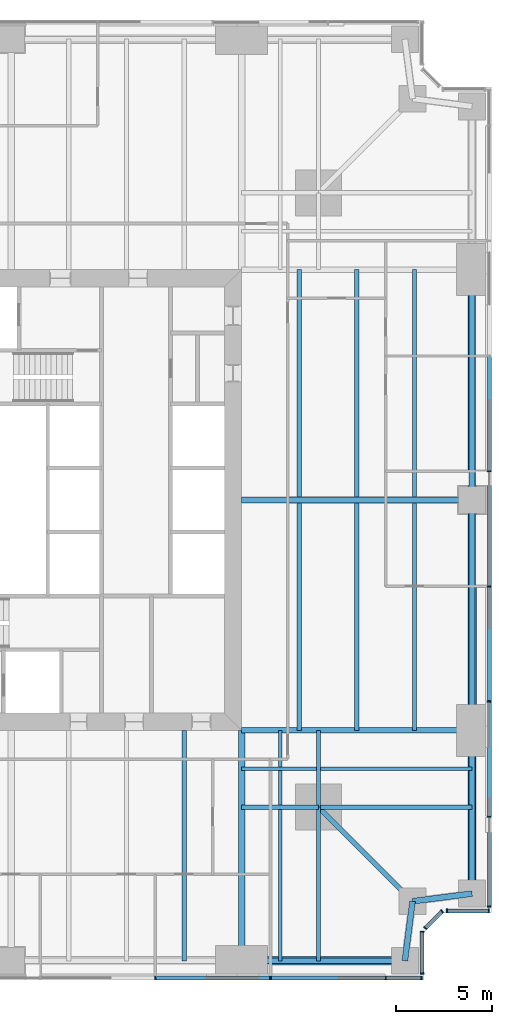
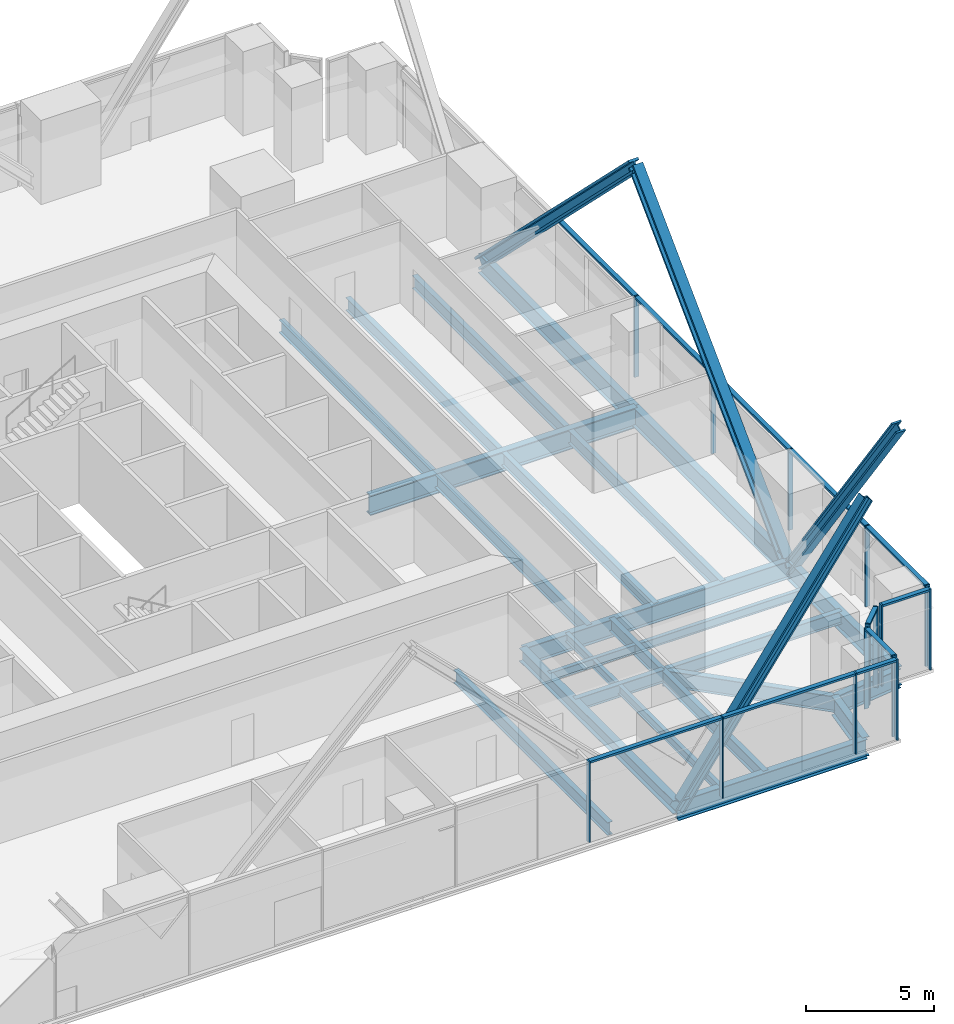
# One storey, part 5 of 14: 30 members, 26 beams, 5 elements without a shape of their own.
"""IFC4 building model written with IfcOpenShell, lengths in metres."""

import ifcopenshell
import ifcopenshell.guid

model = None  # the IFC model being written
_history = None  # IfcOwnerHistory: only IFC2X3 demands one
_inside = {}  # id of a spatial element -> (the spatial element, [elements in it])
_under = {}  # id of a project, library or spatial element -> (it, [spatial elements below it])
_declared = {}  # id of a project -> (the project, [libraries it declares])
_typed = {}  # id of a type object -> (the type object, [elements of that type])
_made_of = {}  # id of a material, layer set ... -> (it, [elements and type objects made of it])


def new_model(schema):
    """Start an empty IFC model of exactly this schema.

    Asked for "IFC4X3", IfcOpenShell would pick the latest addendum, in which some entities
    have other attributes; the version numbers below select the first issue.
    IFC2X3 requires an IfcOwnerHistory on every rooted entity: one is made here for all.
    """
    global model, _history
    if schema == "IFC4X3":
        model = ifcopenshell.file(schema_version=(4, 3, 0, 0))
    else:
        model = ifcopenshell.file(schema=schema)
    _inside.clear()
    _under.clear()
    _declared.clear()
    _typed.clear()
    _made_of.clear()
    _history = None
    if model.schema == "IFC2X3":
        org = make("IfcOrganization", Name="unknown")
        user = make(
            "IfcPersonAndOrganization",
            ThePerson=make("IfcPerson", FamilyName="unknown"),
            TheOrganization=org,
        )
        app = make(
            "IfcApplication",
            ApplicationDeveloper=org,
            Version="unknown",
            ApplicationFullName="unknown",
            ApplicationIdentifier="unknown",
        )
        _history = make(
            "IfcOwnerHistory",
            OwningUser=user,
            OwningApplication=app,
            ChangeAction="ADDED",
            CreationDate=0,
        )
    return model


def make(cls, **values):
    """One entity of the class cls with the attributes given. An attribute that is None is left unset."""
    return model.create_entity(
        cls, **{name: value for name, value in values.items() if value is not None}
    )


def rooted(cls, **values):
    """An entity with a GlobalId (a new one), such as an element, a storey or a relation."""
    return make(cls, GlobalId=ifcopenshell.guid.new(), OwnerHistory=_history, **values)


def si_unit(unit_type, name, prefix=None):
    """IfcSIUnit, for example si_unit("LENGTHUNIT", "METRE", prefix="MILLI")."""
    return make("IfcSIUnit", UnitType=unit_type, Prefix=prefix, Name=name)


def assignment(units):
    """IfcUnitAssignment: the units of a project."""
    return None if units is None else make("IfcUnitAssignment", Units=units)


def point(xyz):
    """IfcCartesianPoint."""
    return None if xyz is None else make("IfcCartesianPoint", Coordinates=xyz)


def direction(xyz):
    """IfcDirection."""
    return None if xyz is None else make("IfcDirection", DirectionRatios=xyz)


def frame(location, z_axis=None, x_axis=None):
    """IfcAxis2Placement3D, a coordinate frame: its origin and axes. An axis left out is left unset."""
    return make(
        "IfcAxis2Placement3D",
        Location=point(location),
        Axis=direction(z_axis),
        RefDirection=direction(x_axis),
    )


def frame_2d(location, x_axis=None):
    """IfcAxis2Placement2D, a coordinate frame in the plane: its origin and x axis."""
    return make(
        "IfcAxis2Placement2D", Location=point(location), RefDirection=direction(x_axis)
    )


def origin():
    """The frame at (0, 0, 0) with its axes left unset."""
    return frame((0.0, 0.0, 0.0))


def origin_2d():
    """The frame at (0, 0) in the plane with its x axis left unset."""
    return frame_2d((0.0, 0.0))


def place(relative_to, where):
    """IfcLocalPlacement: puts the frame where relative to a parent placement (None: the world)."""
    return make(
        "IfcLocalPlacement", PlacementRelTo=relative_to, RelativePlacement=where
    )


def context(
    kind, dimensions, precision=None, world=None, true_north=None, identifier=None
):
    """IfcGeometricRepresentationContext, for example the 3D "Model" context."""
    return make(
        "IfcGeometricRepresentationContext",
        ContextIdentifier=identifier,
        ContextType=kind,
        CoordinateSpaceDimension=dimensions,
        Precision=precision,
        WorldCoordinateSystem=world,
        TrueNorth=true_north,
    )


def subcontext(parent, identifier, kind, view, scale=None):
    """IfcGeometricRepresentationSubContext, for example "Body" below "Model"."""
    return make(
        "IfcGeometricRepresentationSubContext",
        ContextIdentifier=identifier,
        ContextType=kind,
        ParentContext=parent,
        TargetScale=scale,
        TargetView=view,
    )


def project(units=None, contexts=None):
    """IfcProject with its units and contexts."""
    return rooted(
        "IfcProject",
        Name="project",
        RepresentationContexts=contexts,
        UnitsInContext=assignment(units),
    )


def spatial(cls, under=None, at=None, **own):
    """A site, building, storey or space (cls), placed at a placement, below another one or the project."""
    s = rooted(cls, ObjectPlacement=at, **own)
    if under is not None:
        _under.setdefault(under.id(), (under, []))[1].append(s)
    return s


def profile(cls, at=None, kind="AREA", **sizes):
    """A parametric profile (cls). Its sizes go by their IFC names, for example OverallWidth=200.0."""
    return make(cls, ProfileType=kind, Position=at, **sizes)


def rectangle(**sizes):
    """IfcRectangleProfileDef."""
    return profile("IfcRectangleProfileDef", **sizes)


def i_section(**sizes):
    """IfcIShapeProfileDef."""
    return profile("IfcIShapeProfileDef", **sizes)


def extrude(swept, where, along, depth):
    """IfcExtrudedAreaSolid: the profile swept, set in the frame where, extruded along a direction by depth."""
    return make(
        "IfcExtrudedAreaSolid",
        SweptArea=swept,
        Position=where,
        ExtrudedDirection=direction(along),
        Depth=depth,
    )


def shape(context_of_items, identifier, shape_type, items):
    """IfcShapeRepresentation: the items that make up one representation, for example the "Body"."""
    return make(
        "IfcShapeRepresentation",
        ContextOfItems=context_of_items,
        RepresentationIdentifier=identifier,
        RepresentationType=shape_type,
        Items=items,
    )


def material(Name=None, Category=None):
    """IfcMaterial."""
    return make("IfcMaterial", Name=Name, Category=Category)


def material_profile(
    of_material, cross_section, Name=None, Category=None, Priority=None
):
    """IfcMaterialProfile: a cross section and its material."""
    return make(
        "IfcMaterialProfile",
        Name=Name,
        Material=of_material,
        Profile=cross_section,
        Priority=Priority,
        Category=Category,
    )


def profile_set(profiles, Name=None, composite=None):
    """IfcMaterialProfileSet."""
    return make(
        "IfcMaterialProfileSet",
        Name=Name,
        MaterialProfiles=profiles,
        CompositeProfile=composite,
    )


def made_of(thing, what):
    """Note that an element or type object is made of a material, layer set ...; save() writes the relation."""
    if what is not None:
        _made_of.setdefault(what.id(), (what, []))[1].append(thing)
    return thing


def type_object(cls, material=None, **own):
    """A type object (cls), such as IfcWallType, which elements share."""
    return made_of(rooted(cls, **own), material)


def element(
    cls,
    number,
    at=None,
    inside=None,
    cuts=None,
    type_object=None,
    material=None,
    context=None,
    identifier="Body",
    shape_type=None,
    held_by="IfcProductDefinitionShape",
    body=None,
    shapes=None,
    **own,
):
    """One element of the class cls, such as IfcWall. Its Tag is "e" and its number.

    at: its placement. inside: the storey or other place that contains it. cuts: it is an
    opening in that element (IfcRelVoidsElement). A single representation is given by context,
    identifier, shape_type and body (its items); several are given by shapes. held_by: the class
    of the entity that holds the representations. save() writes the other relations.
    """
    e = rooted(cls, Tag="e%d" % number, ObjectPlacement=at, **own)
    if body is not None:
        shapes = [shape(context, identifier, shape_type, body)]
    if shapes is not None:
        e.Representation = make(held_by, Representations=shapes)
    if inside is not None:
        _inside.setdefault(inside.id(), (inside, []))[1].append(e)
    if cuts is not None:
        rooted(
            "IfcRelVoidsElement", RelatingBuildingElement=cuts, RelatedOpeningElement=e
        )
    if type_object is not None:
        _typed.setdefault(type_object.id(), (type_object, []))[1].append(e)
    return made_of(e, material)


def aggregate(whole, parts):
    """IfcRelAggregates: a whole, such as a stair, and the parts it consists of."""
    return rooted("IfcRelAggregates", RelatingObject=whole, RelatedObjects=parts)


def save(model, path):
    """Write the relations noted so far, then the file.

    IfcRelAggregates (storeys below a building ...), IfcRelContainedInSpatialStructure (elements
    in a storey), IfcRelDefinesByType, IfcRelAssociatesMaterial and IfcRelDeclares: one each for
    every whole, place, type object, material and project.
    """
    for whole, parts in _under.values():
        aggregate(whole, parts)
    for where, things in _inside.values():
        rooted(
            "IfcRelContainedInSpatialStructure",
            RelatedElements=things,
            RelatingStructure=where,
        )
    for kind, things in _typed.values():
        rooted("IfcRelDefinesByType", RelatedObjects=things, RelatingType=kind)
    for what, things in _made_of.values():
        rooted("IfcRelAssociatesMaterial", RelatedObjects=things, RelatingMaterial=what)
    for by, libraries in _declared.values():
        rooted("IfcRelDeclares", RelatingContext=by, RelatedDefinitions=libraries)
    model.write(path)


model = new_model("IFC4")

# Units and contexts
model_context = context("Model", 3, precision=1e-05, world=origin(), true_north=direction((0.0, 1.0)))
body_context = subcontext(model_context, "Body", "Model", "MODEL_VIEW")
ifc_project = project(units=[si_unit("LENGTHUNIT", "METRE"), si_unit("AREAUNIT", "SQUARE_METRE"), si_unit("VOLUMEUNIT", "CUBIC_METRE"), si_unit("PLANEANGLEUNIT", "RADIAN"), si_unit("MASSUNIT", "GRAM", prefix="KILO")], contexts=[model_context])

# Site, building, storey
site_placement = place(None, origin())
site = spatial("IfcSite", under=ifc_project, at=site_placement, CompositionType="ELEMENT")
building_placement = place(site_placement, origin())
building = spatial("IfcBuilding", under=site, at=building_placement, Name="Fenwick Lantern Interchange", CompositionType="ELEMENT")
storey_placement = place(building_placement, frame((0.0, 0.0, 79.0)))
storey = spatial("IfcBuildingStorey", under=building, at=storey_placement, Name="L18", CompositionType="ELEMENT", Elevation=79.0)

# Beams
ifc_material_1 = material(Name="Steel ASTM A992 Grade 50", Category="steel")
ifc_material_profile_1 = material_profile(ifc_material_1, i_section(OverallWidth=0.3046875, OverallDepth=0.911865234375, WebThickness=0.015869140625, FlangeThickness=0.02392578125, at=origin_2d()), Name="W36X150")
ifc_profile_set_1 = profile_set([ifc_material_profile_1], Name="Steel ASTM A992 Grade 50")
beam_type_1 = type_object("IfcBeamType", Name="EDGE BEAM W36X150", PredefinedType="SPANDREL", material=ifc_profile_set_1)
beam_1_placement = place(storey_placement, frame((37.0, 1.0, -0.60595703125), z_axis=(1.0, 0.0, 0.0), x_axis=(0.0, 1.0, 0.0)))
element("IfcBeam", 1, at=beam_1_placement, inside=storey, type_object=beam_type_1, Name="L18/FR/S/EB4", PredefinedType="SPANDREL", context=body_context, shape_type="SweptSolid", body=[
    extrude(i_section(OverallWidth=0.3046875, OverallDepth=0.911865234375, WebThickness=0.015869140625, FlangeThickness=0.02392578125, at=origin_2d()), origin(), (0.0, 0.0, 1.0), 8.5),
])
for number, where, z_axis, x_axis, name in (
    (2, (45.5, 1.0, -0.60595703125), (0.127936641807, 0.991782342897, 0.0), (-0.991782342897, 0.127936641807, 0.0), "L18/FR/S/EBR1"),
    (3, (45.89990234375, 4.10009765625, -0.60595703125), (0.991782342897, 0.127936641807, 0.0), (-0.127936641807, 0.991782342897, 0.0), "L18/FR/S/EBR2"),
):
    element("IfcBeam", number, at=place(storey_placement, frame(where, z_axis=z_axis, x_axis=x_axis)), inside=storey, type_object=beam_type_1, Name=name, PredefinedType="SPANDREL", context=body_context, shape_type="SweptSolid", body=[
        extrude(i_section(OverallWidth=0.3046875, OverallDepth=0.911865234375, WebThickness=0.015869140625, FlangeThickness=0.02392578125, at=origin_2d()), origin(), (0.0, 0.0, 1.0), 3.125732421875),
    ])
beam_2_placement = place(storey_placement, frame((49.0, 4.5, -0.60595703125), z_axis=(0.0, 1.0, 0.0), x_axis=(-1.0, 0.0, 0.0)))
element("IfcBeam", 4, at=beam_2_placement, inside=storey, type_object=beam_type_1, Name="L18/FR/E/EB1", PredefinedType="SPANDREL", context=body_context, shape_type="SweptSolid", body=[
    extrude(i_section(OverallWidth=0.3046875, OverallDepth=0.911865234375, WebThickness=0.015869140625, FlangeThickness=0.02392578125, at=origin_2d()), origin(), (0.0, 0.0, 1.0), 8.5),
])
for number, where, z_axis, x_axis, name in (
    (5, (49.0, 13.0, -0.60595703125), (0.0, 1.0, 0.0), (-1.0, 0.0, 0.0), "L18/FR/E/EB2"),
    (6, (49.0, 25.0, -0.60595703125), (0.0, 1.0, 0.0), (-1.0, 0.0, 0.0), "L18/FR/E/EB3"),
):
    element("IfcBeam", number, at=place(storey_placement, frame(where, z_axis=z_axis, x_axis=x_axis)), inside=storey, type_object=beam_type_1, Name=name, PredefinedType="SPANDREL", context=body_context, shape_type="SweptSolid", body=[
        extrude(i_section(OverallWidth=0.3046875, OverallDepth=0.911865234375, WebThickness=0.015869140625, FlangeThickness=0.02392578125, at=origin_2d()), origin(), (0.0, 0.0, 1.0), 12.0),
    ])

# Members
ifc_material_profile_2 = material_profile(ifc_material_1, i_section(OverallWidth=0.424072265625, OverallDepth=0.47509765625, WebThickness=0.0478515625, FlangeThickness=0.0771484375, at=origin_2d()), Name="W14X426")
ifc_profile_set_2 = profile_set([ifc_material_profile_2], Name="Steel ASTM A992 Grade 50")
member_type_1 = type_object("IfcMemberType", Name="FACADE BRACE W14X426", PredefinedType="BRACE", material=ifc_profile_set_2)
for number, where, z_axis, x_axis, name in (
    (7, (37.0, 1.0, -0.60595703125), (0.581715408588, 0.0, 0.813392392029), (0.0, 1.0, 0.0), "L18/FB/S/BE"),
    (8, (49.0, 13.0, -0.60595703125), (0.0, -0.581715408588, 0.813392392029), (1.0, 0.0, 0.0), "L18/FB/E/AE"),
):
    element("IfcMember", number, at=place(storey_placement, frame(where, z_axis=z_axis, x_axis=x_axis)), inside=storey, type_object=member_type_1, Name=name, PredefinedType="BRACE", context=body_context, shape_type="SweptSolid", body=[
        extrude(i_section(OverallWidth=0.424072265625, OverallDepth=0.47509765625, WebThickness=0.0478515625, FlangeThickness=0.0771484375, at=origin_2d()), origin(), (0.0, 0.0, 1.0), 14.612060546875),
    ])
ifc_material_profile_3 = material_profile(ifc_material_1, i_section(OverallWidth=0.44189453125, OverallDepth=0.53076171875, WebThickness=0.06591796875, FlangeThickness=0.105712890625, at=origin_2d()), Name="W14X605")
ifc_profile_set_3 = profile_set([ifc_material_profile_3], Name="Steel ASTM A992 Grade 50")
member_type_2 = type_object("IfcMemberType", Name="FACADE BRACE W14X605", PredefinedType="BRACE", material=ifc_profile_set_3)
for number, where, z_axis, x_axis, name in (
    (9, (49.0, 13.0, -0.60595703125), (0.0, 0.710495562956, 0.703701680416), (-1.0, 0.0, 0.0), "L18/FB/E/A"),
    (10, (49.0, 37.0, -0.60595703125), (0.0, -0.710495562956, 0.703701680416), (1.0, 0.0, 0.0), "L18/FB/E/B"),
):
    element("IfcMember", number, at=place(storey_placement, frame(where, z_axis=z_axis, x_axis=x_axis)), inside=storey, type_object=member_type_2, Name=name, PredefinedType="BRACE", context=body_context, shape_type="SweptSolid", body=[
        extrude(i_section(OverallWidth=0.44189453125, OverallDepth=0.53076171875, WebThickness=0.06591796875, FlangeThickness=0.105712890625, at=origin_2d()), origin(), (0.0, 0.0, 1.0), 16.8896484375),
    ])

# Beams
ifc_material_profile_4 = material_profile(ifc_material_1, i_section(OverallWidth=0.22900390625, OverallDepth=0.612060546875, WebThickness=0.011962890625, FlangeThickness=0.01953125, at=origin_2d()), Name="W24X84")
ifc_profile_set_4 = profile_set([ifc_material_profile_4], Name="Steel ASTM A992 Grade 50")
beam_type_2 = type_object("IfcBeamType", Name="FLOOR BEAM W24X84", PredefinedType="BEAM", material=ifc_profile_set_4)
beam_3_placement = place(storey_placement, frame((34.0, 1.0, -0.4560546875), z_axis=(0.0, 1.0, 0.0), x_axis=(-1.0, 0.0, 0.0)))
element("IfcBeam", 11, at=beam_3_placement, inside=storey, type_object=beam_type_2, Name="L18/FR/S/R08", PredefinedType="BEAM", context=body_context, shape_type="SweptSolid", body=[
    extrude(i_section(OverallWidth=0.22900390625, OverallDepth=0.612060546875, WebThickness=0.011962890625, FlangeThickness=0.01953125, at=origin_2d()), origin(), (0.0, 0.0, 1.0), 12.0),
])
for number, where, z_axis, x_axis, name in (
    (12, (46.0, 13.0, -0.4560546875), (0.0, 1.0, 0.0), (-1.0, 0.0, 0.0), "L18/FR/E/B01"),
    (13, (43.0, 13.0, -0.4560546875), (0.0, 1.0, 0.0), (-1.0, 0.0, 0.0), "L18/FR/E/B02"),
    (14, (40.0, 13.0, -0.4560546875), (0.0, 1.0, 0.0), (-1.0, 0.0, 0.0), "L18/FR/E/B03"),
    (15, (46.0, 25.155029296875, -0.4560546875), (0.0, 1.0, 0.0), (-1.0, 0.0, 0.0), "L18/FR/E/B04"),
    (16, (43.0, 25.155029296875, -0.4560546875), (0.0, 1.0, 0.0), (-1.0, 0.0, 0.0), "L18/FR/E/B05"),
    (17, (40.0, 25.155029296875, -0.4560546875), (0.0, 1.0, 0.0), (-1.0, 0.0, 0.0), "L18/FR/E/B06"),
):
    element("IfcBeam", number, at=place(storey_placement, frame(where, z_axis=z_axis, x_axis=x_axis)), inside=storey, type_object=beam_type_2, Name=name, PredefinedType="BEAM", context=body_context, shape_type="SweptSolid", body=[
        extrude(i_section(OverallWidth=0.22900390625, OverallDepth=0.612060546875, WebThickness=0.011962890625, FlangeThickness=0.01953125, at=origin_2d()), origin(), (0.0, 0.0, 1.0), 11.844970703125),
    ])
ifc_material_profile_5 = material_profile(ifc_material_1, i_section(OverallWidth=0.177734375, OverallDepth=0.406494140625, WebThickness=0.0078125, FlangeThickness=0.012939453125, at=origin_2d()), Name="W16X40")
ifc_profile_set_5 = profile_set([ifc_material_profile_5], Name="Steel ASTM A992 Grade 50")
beam_type_3 = type_object("IfcBeamType", Name="INFILL BEAM W16X40", PredefinedType="JOIST", material=ifc_profile_set_5)
beam_4_placement = place(storey_placement, frame((49.0, 11.0, -0.353271484375), z_axis=(-1.0, 0.0, 0.0), x_axis=(0.0, -1.0, 0.0)))
element("IfcBeam", 18, at=beam_4_placement, inside=storey, type_object=beam_type_3, Name="L18/FR/E/J1", PredefinedType="JOIST", context=body_context, shape_type="SweptSolid", body=[
    extrude(i_section(OverallWidth=0.177734375, OverallDepth=0.406494140625, WebThickness=0.0078125, FlangeThickness=0.012939453125, at=origin_2d()), origin(), (0.0, 0.0, 1.0), 7.885498046875),
])
beam_5_placement = place(storey_placement, frame((40.885498046875, 11.0, -0.353271484375), z_axis=(-1.0, 0.0, 0.0), x_axis=(0.0, -1.0, 0.0)))
element("IfcBeam", 19, at=beam_5_placement, inside=storey, type_object=beam_type_3, Name="L18/FR/E/J2", PredefinedType="JOIST", context=body_context, shape_type="SweptSolid", body=[
    extrude(i_section(OverallWidth=0.177734375, OverallDepth=0.406494140625, WebThickness=0.0078125, FlangeThickness=0.012939453125, at=origin_2d()), origin(), (0.0, 0.0, 1.0), 3.885498046875),
])
beam_6_placement = place(storey_placement, frame((39.0, 1.0, -0.353271484375), z_axis=(0.0, 1.0, 0.0), x_axis=(-1.0, 0.0, 0.0)))
element("IfcBeam", 20, at=beam_6_placement, inside=storey, type_object=beam_type_3, Name="L18/FR/E/J3", PredefinedType="JOIST", context=body_context, shape_type="SweptSolid", body=[
    extrude(i_section(OverallWidth=0.177734375, OverallDepth=0.406494140625, WebThickness=0.0078125, FlangeThickness=0.012939453125, at=origin_2d()), origin(), (0.0, 0.0, 1.0), 7.885498046875),
])
beam_7_placement = place(storey_placement, frame((39.0, 9.114501953125, -0.353271484375), z_axis=(0.0, 1.0, 0.0), x_axis=(-1.0, 0.0, 0.0)))
element("IfcBeam", 21, at=beam_7_placement, inside=storey, type_object=beam_type_3, Name="L18/FR/E/J4", PredefinedType="JOIST", context=body_context, shape_type="SweptSolid", body=[
    extrude(i_section(OverallWidth=0.177734375, OverallDepth=0.406494140625, WebThickness=0.0078125, FlangeThickness=0.012939453125, at=origin_2d()), origin(), (0.0, 0.0, 1.0), 1.796630859375),
])
beam_8_placement = place(storey_placement, frame((39.0, 11.0888671875, -0.353271484375), z_axis=(0.0, 1.0, 0.0), x_axis=(-1.0, 0.0, 0.0)))
element("IfcBeam", 22, at=beam_8_placement, inside=storey, type_object=beam_type_3, Name="L18/FR/E/J5", PredefinedType="JOIST", context=body_context, shape_type="SweptSolid", body=[
    extrude(i_section(OverallWidth=0.177734375, OverallDepth=0.406494140625, WebThickness=0.0078125, FlangeThickness=0.012939453125, at=origin_2d()), origin(), (0.0, 0.0, 1.0), 1.9111328125),
])
ifc_material_profile_6 = material_profile(ifc_material_1, i_section(OverallWidth=0.22900390625, OverallDepth=0.612060546875, WebThickness=0.011962890625, FlangeThickness=0.01953125, at=origin_2d()), Name="W24X84")
ifc_profile_set_6 = profile_set([ifc_material_profile_6], Name="Steel ASTM A992 Grade 50")
beam_type_4 = type_object("IfcBeamType", Name="MEGA COLUMN BEAM W24X84", PredefinedType="BEAM", material=ifc_profile_set_6)
for number, where, z_axis, x_axis, name in (
    (23, (41.0, 9.0, -0.4560546875), (1.0, 0.0, 0.0), (0.0, 1.0, 0.0), "L18/FR/E/MB1"),
    (24, (41.0, 9.0, -0.4560546875), (0.0, -1.0, 0.0), (1.0, 0.0, 0.0), "L18/FR/E/MB2"),
):
    element("IfcBeam", number, at=place(storey_placement, frame(where, z_axis=z_axis, x_axis=x_axis)), inside=storey, type_object=beam_type_4, Name=name, PredefinedType="BEAM", context=body_context, shape_type="SweptSolid", body=[
        extrude(i_section(OverallWidth=0.22900390625, OverallDepth=0.612060546875, WebThickness=0.011962890625, FlangeThickness=0.01953125, at=origin_2d()), origin(), (0.0, 0.0, 1.0), 8.0),
    ])
for number, where, z_axis, x_axis, name in (
    (25, (41.0, 9.0, -0.4560546875), (0.0, 1.0, 0.0), (-1.0, 0.0, 0.0), "L18/FR/E/MB3"),
    (26, (41.0, 9.0, -0.4560546875), (-1.0, 0.0, 0.0), (0.0, -1.0, 0.0), "L18/FR/E/MB4"),
):
    element("IfcBeam", number, at=place(storey_placement, frame(where, z_axis=z_axis, x_axis=x_axis)), inside=storey, type_object=beam_type_4, Name=name, PredefinedType="BEAM", context=body_context, shape_type="SweptSolid", body=[
        extrude(i_section(OverallWidth=0.22900390625, OverallDepth=0.612060546875, WebThickness=0.011962890625, FlangeThickness=0.01953125, at=origin_2d()), origin(), (0.0, 0.0, 1.0), 4.0),
    ])
ifc_material_profile_7 = material_profile(ifc_material_1, i_section(OverallWidth=0.32763671875, OverallDepth=0.622314453125, WebThickness=0.015380859375, FlangeThickness=0.0244140625, at=origin_2d()), Name="W24X131")
ifc_profile_set_7 = profile_set([ifc_material_profile_7], Name="Steel ASTM A992 Grade 50")
beam_type_5 = type_object("IfcBeamType", Name="MOMENT-CONNECTED GIRDER W24X131", PredefinedType="BEAM", material=ifc_profile_set_7)
beam_9_placement = place(storey_placement, frame((37.0, 1.0, -0.461181640625), z_axis=(0.0, 1.0, 0.0), x_axis=(-1.0, 0.0, 0.0)))
element("IfcBeam", 27, at=beam_9_placement, inside=storey, type_object=beam_type_5, Name="L18/FR/S/R09", PredefinedType="BEAM", context=body_context, shape_type="SweptSolid", body=[
    extrude(i_section(OverallWidth=0.32763671875, OverallDepth=0.622314453125, WebThickness=0.015380859375, FlangeThickness=0.0244140625, at=origin_2d()), origin(), (0.0, 0.0, 1.0), 12.0),
])
ifc_material_profile_8 = material_profile(ifc_material_1, i_section(OverallWidth=0.2919921875, OverallDepth=0.845703125, WebThickness=0.015380859375, FlangeThickness=0.0244140625, at=origin_2d()), Name="W33X141")
ifc_profile_set_8 = profile_set([ifc_material_profile_8], Name="Steel ASTM A992 Grade 50")
beam_type_6 = type_object("IfcBeamType", Name="MOMENT-CONNECTED GIRDER W33X141", PredefinedType="BEAM", material=ifc_profile_set_8)
beam_10_placement = place(storey_placement, frame((49.0, 13.0, -0.572998046875), z_axis=(-1.0, 0.0, 0.0), x_axis=(0.0, -1.0, 0.0)))
element("IfcBeam", 28, at=beam_10_placement, inside=storey, type_object=beam_type_6, Name="L18/FR/E/R01", PredefinedType="BEAM", context=body_context, shape_type="SweptSolid", body=[
    extrude(i_section(OverallWidth=0.2919921875, OverallDepth=0.845703125, WebThickness=0.015380859375, FlangeThickness=0.0244140625, at=origin_2d()), origin(), (0.0, 0.0, 1.0), 12.0),
])
ifc_material_profile_9 = material_profile(ifc_material_1, i_section(OverallWidth=0.309814453125, OverallDepth=0.949951171875, WebThickness=0.0244140625, FlangeThickness=0.0439453125, at=origin_2d()), Name="W36X256")
ifc_profile_set_9 = profile_set([ifc_material_profile_9], Name="Steel ASTM A992 Grade 50")
beam_type_7 = type_object("IfcBeamType", Name="MOMENT-CONNECTED GIRDER W36X256", PredefinedType="BEAM", material=ifc_profile_set_9)
beam_11_placement = place(storey_placement, frame((49.0, 25.0, -0.625), z_axis=(-1.0, 0.0, 0.0), x_axis=(0.0, -1.0, 0.0)))
element("IfcBeam", 29, at=beam_11_placement, inside=storey, type_object=beam_type_7, Name="L18/FR/E/R02", PredefinedType="BEAM", context=body_context, shape_type="SweptSolid", body=[
    extrude(i_section(OverallWidth=0.309814453125, OverallDepth=0.949951171875, WebThickness=0.0244140625, FlangeThickness=0.0439453125, at=origin_2d()), origin(), (0.0, 0.0, 1.0), 12.0),
])
ifc_material_profile_10 = material_profile(ifc_material_1, i_section(OverallWidth=0.2666015625, OverallDepth=0.7568359375, WebThickness=0.013916015625, FlangeThickness=0.019287109375, at=origin_2d()), Name="W30X108")
ifc_profile_set_10 = profile_set([ifc_material_profile_10], Name="Steel ASTM A992 Grade 50")
beam_type_8 = type_object("IfcBeamType", Name="NOTCH BEAM W30X108", PredefinedType="BEAM", material=ifc_profile_set_10)
beam_12_placement = place(storey_placement, frame((41.0, 9.0, -0.528564453125), z_axis=(0.707106781187, -0.707106781187, 0.0), x_axis=(0.707106781187, 0.707106781187, 0.0)))
element("IfcBeam", 30, at=beam_12_placement, inside=storey, type_object=beam_type_8, Name="L18/FR/E/TG", PredefinedType="BEAM", context=body_context, shape_type="SweptSolid", body=[
    extrude(i_section(OverallWidth=0.2666015625, OverallDepth=0.7568359375, WebThickness=0.013916015625, FlangeThickness=0.019287109375, at=origin_2d()), origin(), (0.0, 0.0, 1.0), 6.929443359375),
])

# Curtain wall, members
ifc_material_2 = material(Name="Aluminium curtain wall frame", Category="aluminium")
curtain_wall_type = type_object("IfcCurtainWallType", Name="OFFICE CURTAIN WALL", PredefinedType="USERDEFINED", material=ifc_material_2)
curtain_wall_1_placement = place(storey_placement, origin())
curtain_wall_1 = element("IfcCurtainWall", 31, at=curtain_wall_1_placement, inside=storey, type_object=curtain_wall_type, Name="Office curtain wall 01", ObjectType="OFFICE CURTAIN WALL", PredefinedType="USERDEFINED")
ifc_material_3 = material(Name="Aluminium extrusion", Category="aluminium")
ifc_material_profile_11 = material_profile(ifc_material_3, rectangle(XDim=0.199951171875, YDim=0.06494140625, at=origin_2d()), Name="OFFICE CURTAIN WALL MULLION 65 X 200")
ifc_profile_set_11 = profile_set([ifc_material_profile_11], Name="Aluminium extrusion")
member_type_3 = type_object("IfcMemberType", Name="OFFICE CURTAIN WALL MULLION 65 X 200", PredefinedType="MULLION", material=ifc_profile_set_11)
member_1_placement = place(storey_placement, frame((32.5, 0.10009765625, 0.0), z_axis=(0.0, 0.0, 1.0), x_axis=(0.0, 1.0, 0.0)))
member_1 = element("IfcMember", 32, at=member_1_placement, type_object=member_type_3, Name="L18/CW/01/M05", PredefinedType="MULLION", context=body_context, shape_type="SweptSolid", body=[
    extrude(rectangle(XDim=0.199951171875, YDim=0.06494140625, at=origin_2d()), origin(), (0.0, 0.0, 1.0), 3.85009765625),
])
member_2_placement = place(storey_placement, frame((38.5, 0.10009765625, 0.0), z_axis=(0.0, 0.0, 1.0), x_axis=(0.0, 1.0, 0.0)))
member_2 = element("IfcMember", 33, at=member_2_placement, type_object=member_type_3, Name="L18/CW/01/M06", PredefinedType="MULLION", context=body_context, shape_type="SweptSolid", body=[
    extrude(rectangle(XDim=0.199951171875, YDim=0.06494140625, at=origin_2d()), origin(), (0.0, 0.0, 1.0), 3.85009765625),
])
member_3_placement = place(storey_placement, frame((44.5, 0.10009765625, 0.0), z_axis=(0.0, 0.0, 1.0), x_axis=(0.0, 1.0, 0.0)))
member_3 = element("IfcMember", 34, at=member_3_placement, type_object=member_type_3, Name="L18/CW/01/M07", PredefinedType="MULLION", context=body_context, shape_type="SweptSolid", body=[
    extrude(rectangle(XDim=0.199951171875, YDim=0.06494140625, at=origin_2d()), origin(), (0.0, 0.0, 1.0), 3.85009765625),
])
member_4_placement = place(storey_placement, frame((46.367431640625, 0.10009765625, 0.0), z_axis=(0.0, 0.0, 1.0), x_axis=(0.0, 1.0, 0.0)))
member_4 = element("IfcMember", 35, at=member_4_placement, type_object=member_type_3, Name="L18/CW/01/M08", PredefinedType="MULLION", context=body_context, shape_type="SweptSolid", body=[
    extrude(rectangle(XDim=0.199951171875, YDim=0.06494140625, at=origin_2d()), origin(), (0.0, 0.0, 1.0), 3.85009765625),
])

curtain_wall_2_placement = place(storey_placement, origin())
curtain_wall_2 = element("IfcCurtainWall", 36, at=curtain_wall_2_placement, inside=storey, type_object=curtain_wall_type, Name="Office curtain wall 02", ObjectType="OFFICE CURTAIN WALL", PredefinedType="USERDEFINED")
member_5_placement = place(storey_placement, frame((46.39990234375, 0.33251953125, 0.0), z_axis=(0.0, 0.0, 1.0), x_axis=(-1.0, 0.0, 0.0)))
member_5 = element("IfcMember", 37, at=member_5_placement, type_object=member_type_3, Name="L18/CW/02/M00", PredefinedType="MULLION", context=body_context, shape_type="SweptSolid", body=[
    extrude(rectangle(XDim=0.199951171875, YDim=0.06494140625, at=origin_2d()), origin(), (0.0, 0.0, 1.0), 3.85009765625),
])
member_6_placement = place(storey_placement, frame((46.39990234375, 2.509033203125, 0.0), z_axis=(0.0, 0.0, 1.0), x_axis=(-1.0, 0.0, 0.0)))
member_6 = element("IfcMember", 38, at=member_6_placement, type_object=member_type_3, Name="L18/CW/02/M01", PredefinedType="MULLION", context=body_context, shape_type="SweptSolid", body=[
    extrude(rectangle(XDim=0.199951171875, YDim=0.06494140625, at=origin_2d()), origin(), (0.0, 0.0, 1.0), 3.85009765625),
])

curtain_wall_3_placement = place(storey_placement, origin())
curtain_wall_3 = element("IfcCurtainWall", 39, at=curtain_wall_3_placement, inside=storey, type_object=curtain_wall_type, Name="Office curtain wall 03", ObjectType="OFFICE CURTAIN WALL", PredefinedType="USERDEFINED")
member_7_placement = place(storey_placement, frame((46.564453125, 2.705810546875, 0.0), z_axis=(0.0, 0.0, 1.0), x_axis=(-0.707106781187, 0.707106781187, 0.0)))
member_7 = element("IfcMember", 40, at=member_7_placement, type_object=member_type_3, Name="L18/CW/03/M00", PredefinedType="MULLION", context=body_context, shape_type="SweptSolid", body=[
    extrude(rectangle(XDim=0.199951171875, YDim=0.06494140625, at=origin_2d()), origin(), (0.0, 0.0, 1.0), 3.85009765625),
])
member_8_placement = place(storey_placement, frame((47.435546875, 3.576904296875, 0.0), z_axis=(0.0, 0.0, 1.0), x_axis=(-0.707106781187, 0.707106781187, 0.0)))
member_8 = element("IfcMember", 41, at=member_8_placement, type_object=member_type_3, Name="L18/CW/03/M01", PredefinedType="MULLION", context=body_context, shape_type="SweptSolid", body=[
    extrude(rectangle(XDim=0.199951171875, YDim=0.06494140625, at=origin_2d()), origin(), (0.0, 0.0, 1.0), 3.85009765625),
])

curtain_wall_4_placement = place(storey_placement, origin())
curtain_wall_4 = element("IfcCurtainWall", 42, at=curtain_wall_4_placement, inside=storey, type_object=curtain_wall_type, Name="Office curtain wall 04", ObjectType="OFFICE CURTAIN WALL", PredefinedType="USERDEFINED")
member_9_placement = place(storey_placement, frame((47.691162109375, 3.60009765625, 0.0), z_axis=(0.0, 0.0, 1.0), x_axis=(0.0, 1.0, 0.0)))
member_9 = element("IfcMember", 43, at=member_9_placement, type_object=member_type_3, Name="L18/CW/04/M00", PredefinedType="MULLION", context=body_context, shape_type="SweptSolid", body=[
    extrude(rectangle(XDim=0.199951171875, YDim=0.06494140625, at=origin_2d()), origin(), (0.0, 0.0, 1.0), 3.85009765625),
])
member_10_placement = place(storey_placement, frame((49.867431640625, 3.60009765625, 0.0), z_axis=(0.0, 0.0, 1.0), x_axis=(0.0, 1.0, 0.0)))
member_10 = element("IfcMember", 44, at=member_10_placement, type_object=member_type_3, Name="L18/CW/04/M01", PredefinedType="MULLION", context=body_context, shape_type="SweptSolid", body=[
    extrude(rectangle(XDim=0.199951171875, YDim=0.06494140625, at=origin_2d()), origin(), (0.0, 0.0, 1.0), 3.85009765625),
])

curtain_wall_5_placement = place(storey_placement, origin())
curtain_wall_5 = element("IfcCurtainWall", 45, at=curtain_wall_5_placement, inside=storey, type_object=curtain_wall_type, Name="Office curtain wall 05", ObjectType="OFFICE CURTAIN WALL", PredefinedType="USERDEFINED")
member_11_placement = place(storey_placement, frame((49.89990234375, 3.83251953125, 0.0), z_axis=(0.0, 0.0, 1.0), x_axis=(-1.0, 0.0, 0.0)))
member_11 = element("IfcMember", 46, at=member_11_placement, type_object=member_type_3, Name="L18/CW/05/M00", PredefinedType="MULLION", context=body_context, shape_type="SweptSolid", body=[
    extrude(rectangle(XDim=0.199951171875, YDim=0.06494140625, at=origin_2d()), origin(), (0.0, 0.0, 1.0), 3.85009765625),
])
member_12_placement = place(storey_placement, frame((49.89990234375, 8.5, 0.0), z_axis=(0.0, 0.0, 1.0), x_axis=(-1.0, 0.0, 0.0)))
member_12 = element("IfcMember", 47, at=member_12_placement, type_object=member_type_3, Name="L18/CW/05/M01", PredefinedType="MULLION", context=body_context, shape_type="SweptSolid", body=[
    extrude(rectangle(XDim=0.199951171875, YDim=0.06494140625, at=origin_2d()), origin(), (0.0, 0.0, 1.0), 3.85009765625),
])
member_13_placement = place(storey_placement, frame((49.89990234375, 14.5, 0.0), z_axis=(0.0, 0.0, 1.0), x_axis=(-1.0, 0.0, 0.0)))
member_13 = element("IfcMember", 48, at=member_13_placement, type_object=member_type_3, Name="L18/CW/05/M02", PredefinedType="MULLION", context=body_context, shape_type="SweptSolid", body=[
    extrude(rectangle(XDim=0.199951171875, YDim=0.06494140625, at=origin_2d()), origin(), (0.0, 0.0, 1.0), 3.85009765625),
])
member_14_placement = place(storey_placement, frame((49.89990234375, 20.5, 0.0), z_axis=(0.0, 0.0, 1.0), x_axis=(-1.0, 0.0, 0.0)))
member_14 = element("IfcMember", 49, at=member_14_placement, type_object=member_type_3, Name="L18/CW/05/M03", PredefinedType="MULLION", context=body_context, shape_type="SweptSolid", body=[
    extrude(rectangle(XDim=0.199951171875, YDim=0.06494140625, at=origin_2d()), origin(), (0.0, 0.0, 1.0), 3.85009765625),
])
member_15_placement = place(storey_placement, frame((49.89990234375, 26.5, 0.0), z_axis=(0.0, 0.0, 1.0), x_axis=(-1.0, 0.0, 0.0)))
member_15 = element("IfcMember", 50, at=member_15_placement, type_object=member_type_3, Name="L18/CW/05/M04", PredefinedType="MULLION", context=body_context, shape_type="SweptSolid", body=[
    extrude(rectangle(XDim=0.199951171875, YDim=0.06494140625, at=origin_2d()), origin(), (0.0, 0.0, 1.0), 3.85009765625),
])

# Member
ifc_material_profile_12 = material_profile(ifc_material_3, rectangle(XDim=0.199951171875, YDim=0.10009765625, at=origin_2d()), Name="OFFICE CURTAIN WALL TRANSOM 100 X 200")
ifc_profile_set_12 = profile_set([ifc_material_profile_12], Name="Aluminium extrusion")
member_type_4 = type_object("IfcMemberType", Name="OFFICE CURTAIN WALL TRANSOM 100 X 200", PredefinedType="MULLION", material=ifc_profile_set_12)
member_16_placement = place(storey_placement, frame((32.532470703125, 0.10009765625, 3.800048828125), z_axis=(1.0, 0.0, 0.0), x_axis=(0.0, 1.0, 0.0)))
member_16 = element("IfcMember", 51, at=member_16_placement, type_object=member_type_4, Name="L18/CW/01/T05", PredefinedType="MULLION", context=body_context, shape_type="SweptSolid", body=[
    extrude(rectangle(XDim=0.199951171875, YDim=0.10009765625, at=origin_2d()), origin(), (0.0, 0.0, 1.0), 5.93505859375),
])

member_17_placement = place(storey_placement, frame((38.532470703125, 0.10009765625, 3.800048828125), z_axis=(1.0, 0.0, 0.0), x_axis=(0.0, 1.0, 0.0)))
member_17 = element("IfcMember", 52, at=member_17_placement, type_object=member_type_4, Name="L18/CW/01/T06", PredefinedType="MULLION", context=body_context, shape_type="SweptSolid", body=[
    extrude(rectangle(XDim=0.199951171875, YDim=0.10009765625, at=origin_2d()), origin(), (0.0, 0.0, 1.0), 5.93505859375),
])

member_18_placement = place(storey_placement, frame((44.532470703125, 0.10009765625, 3.800048828125), z_axis=(1.0, 0.0, 0.0), x_axis=(0.0, 1.0, 0.0)))
member_18 = element("IfcMember", 53, at=member_18_placement, type_object=member_type_4, Name="L18/CW/01/T07", PredefinedType="MULLION", context=body_context, shape_type="SweptSolid", body=[
    extrude(rectangle(XDim=0.199951171875, YDim=0.10009765625, at=origin_2d()), origin(), (0.0, 0.0, 1.0), 1.802490234375),
])

aggregate(curtain_wall_1, [member_1, member_2, member_3, member_4, member_16, member_17, member_18])

member_19_placement = place(storey_placement, frame((46.39990234375, 0.364990234375, 3.800048828125), z_axis=(0.0, 1.0, 0.0), x_axis=(-1.0, 0.0, 0.0)))
member_19 = element("IfcMember", 54, at=member_19_placement, type_object=member_type_4, Name="L18/CW/02/T00", PredefinedType="MULLION", context=body_context, shape_type="SweptSolid", body=[
    extrude(rectangle(XDim=0.199951171875, YDim=0.10009765625, at=origin_2d()), origin(), (0.0, 0.0, 1.0), 2.111328125),
])

aggregate(curtain_wall_2, [member_5, member_6, member_19])

member_20_placement = place(storey_placement, frame((46.58740234375, 2.728759765625, 3.800048828125), z_axis=(0.707106781187, 0.707106781187, 0.0), x_axis=(-0.707106781187, 0.707106781187, 0.0)))
member_20 = element("IfcMember", 55, at=member_20_placement, type_object=member_type_4, Name="L18/CW/03/T00", PredefinedType="MULLION", context=body_context, shape_type="SweptSolid", body=[
    extrude(rectangle(XDim=0.199951171875, YDim=0.10009765625, at=origin_2d()), origin(), (0.0, 0.0, 1.0), 1.1669921875),
])

aggregate(curtain_wall_3, [member_7, member_8, member_20])

member_21_placement = place(storey_placement, frame((47.7236328125, 3.60009765625, 3.800048828125), z_axis=(1.0, 0.0, 0.0), x_axis=(0.0, 1.0, 0.0)))
member_21 = element("IfcMember", 56, at=member_21_placement, type_object=member_type_4, Name="L18/CW/04/T00", PredefinedType="MULLION", context=body_context, shape_type="SweptSolid", body=[
    extrude(rectangle(XDim=0.199951171875, YDim=0.10009765625, at=origin_2d()), origin(), (0.0, 0.0, 1.0), 2.111328125),
])

aggregate(curtain_wall_4, [member_9, member_10, member_21])

member_22_placement = place(storey_placement, frame((49.89990234375, 3.864990234375, 3.800048828125), z_axis=(0.0, 1.0, 0.0), x_axis=(-1.0, 0.0, 0.0)))
member_22 = element("IfcMember", 57, at=member_22_placement, type_object=member_type_4, Name="L18/CW/05/T00", PredefinedType="MULLION", context=body_context, shape_type="SweptSolid", body=[
    extrude(rectangle(XDim=0.199951171875, YDim=0.10009765625, at=origin_2d()), origin(), (0.0, 0.0, 1.0), 4.6025390625),
])

member_23_placement = place(storey_placement, frame((49.89990234375, 8.532470703125, 3.800048828125), z_axis=(0.0, 1.0, 0.0), x_axis=(-1.0, 0.0, 0.0)))
member_23 = element("IfcMember", 58, at=member_23_placement, type_object=member_type_4, Name="L18/CW/05/T01", PredefinedType="MULLION", context=body_context, shape_type="SweptSolid", body=[
    extrude(rectangle(XDim=0.199951171875, YDim=0.10009765625, at=origin_2d()), origin(), (0.0, 0.0, 1.0), 5.93505859375),
])

member_24_placement = place(storey_placement, frame((49.89990234375, 14.532470703125, 3.800048828125), z_axis=(0.0, 1.0, 0.0), x_axis=(-1.0, 0.0, 0.0)))
member_24 = element("IfcMember", 59, at=member_24_placement, type_object=member_type_4, Name="L18/CW/05/T02", PredefinedType="MULLION", context=body_context, shape_type="SweptSolid", body=[
    extrude(rectangle(XDim=0.199951171875, YDim=0.10009765625, at=origin_2d()), origin(), (0.0, 0.0, 1.0), 5.93505859375),
])

member_25_placement = place(storey_placement, frame((49.89990234375, 20.532470703125, 3.800048828125), z_axis=(0.0, 1.0, 0.0), x_axis=(-1.0, 0.0, 0.0)))
member_25 = element("IfcMember", 60, at=member_25_placement, type_object=member_type_4, Name="L18/CW/05/T03", PredefinedType="MULLION", context=body_context, shape_type="SweptSolid", body=[
    extrude(rectangle(XDim=0.199951171875, YDim=0.10009765625, at=origin_2d()), origin(), (0.0, 0.0, 1.0), 5.93505859375),
])

member_26_placement = place(storey_placement, frame((49.89990234375, 26.532470703125, 3.800048828125), z_axis=(0.0, 1.0, 0.0), x_axis=(-1.0, 0.0, 0.0)))
member_26 = element("IfcMember", 61, at=member_26_placement, type_object=member_type_4, Name="L18/CW/05/T04", PredefinedType="MULLION", context=body_context, shape_type="SweptSolid", body=[
    extrude(rectangle(XDim=0.199951171875, YDim=0.10009765625, at=origin_2d()), origin(), (0.0, 0.0, 1.0), 5.93505859375),
])

aggregate(curtain_wall_5, [member_11, member_12, member_13, member_14, member_15, member_22, member_23, member_24, member_25, member_26])

save(model, "model.ifc")
